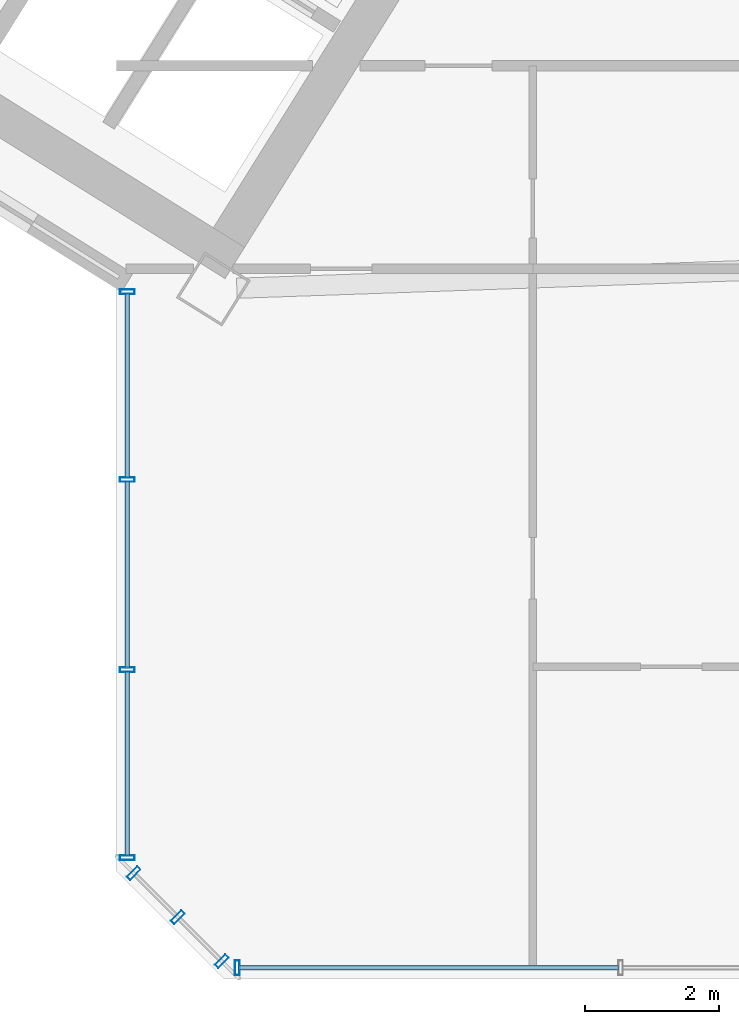
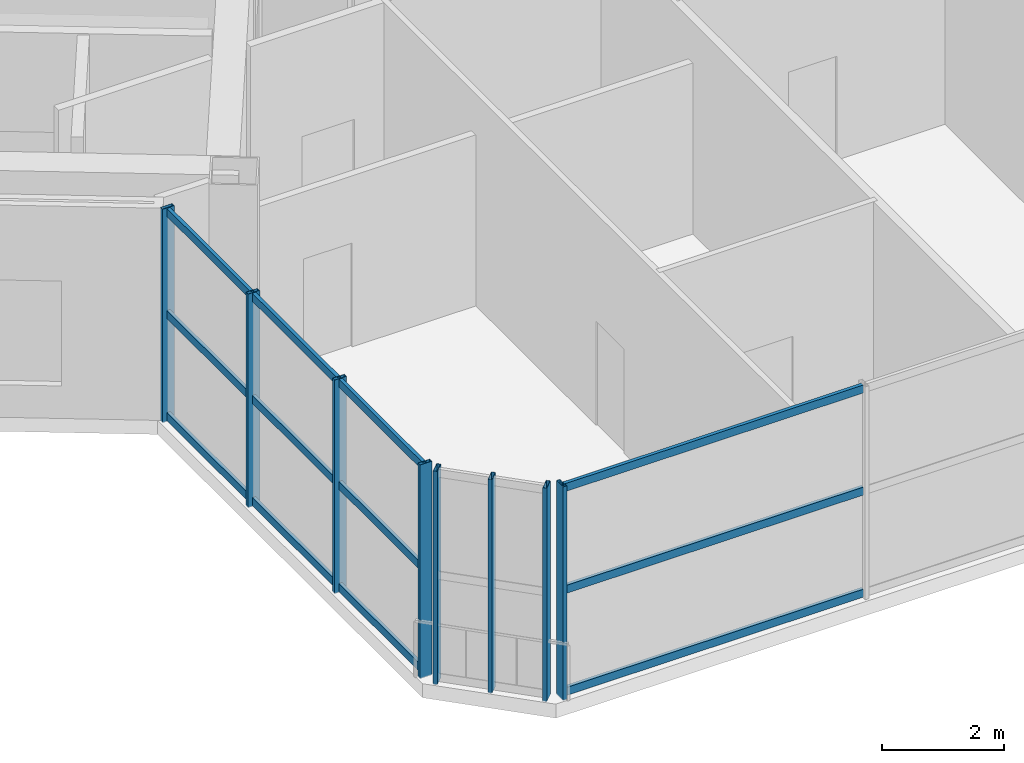
# One storey, part 4 of 21: 20 members, 3 elements without a shape of their own.
"""IFC4 building model written with IfcOpenShell, lengths in metres."""

from ifc_helpers import new_model, si_unit, direction, frame, origin, origin_2d, place, context, subcontext, project, spatial, hollow_rectangle, extrude, source, transform, mapped, material, material_profile, profile_set, type_object, element, aggregate, save


model = new_model("IFC4")

# Units and contexts
model_context = context("Model", 3, precision=1e-05, world=origin(), true_north=direction((0.0, 1.0)))
body_context = subcontext(model_context, "Body", "Model", "MODEL_VIEW")
ifc_project = project(units=[si_unit("LENGTHUNIT", "METRE"), si_unit("AREAUNIT", "SQUARE_METRE"), si_unit("VOLUMEUNIT", "CUBIC_METRE"), si_unit("PLANEANGLEUNIT", "RADIAN"), si_unit("MASSUNIT", "GRAM", prefix="KILO")], contexts=[model_context])

# Site, building, storey
site_placement = place(None, origin())
site = spatial("IfcSite", under=ifc_project, at=site_placement, CompositionType="ELEMENT")
building_placement = place(site_placement, origin())
building = spatial("IfcBuilding", under=site, at=building_placement, Name="Tlacorven Tower", CompositionType="ELEMENT")
storey_placement = place(building_placement, frame((0.0, 0.0, 199.5)))
storey = spatial("IfcBuildingStorey", under=building, at=storey_placement, Name="L50", CompositionType="ELEMENT", Elevation=199.5)

# Curtain wall, member
ifc_material_1 = material(Name="Dark solar low-E double glazing in aluminium frame", Category="aluminium")
curtain_wall_type = type_object("IfcCurtainWallType", Name="CW-COM-AMENITY", PredefinedType="USERDEFINED", material=ifc_material_1)
curtain_wall_1_placement = place(storey_placement, origin())
curtain_wall_1 = element("IfcCurtainWall", 1, at=curtain_wall_1_placement, inside=storey, type_object=curtain_wall_type, Name="L50 CW-COM-AMENITY Curtain Wall 229", ObjectType="UNITISED CURTAIN WALL", PredefinedType="USERDEFINED")
ifc_material_2 = material(Name="Aluminium 6063-T6 anodised", Category="aluminium")
ifc_material_profile_1 = material_profile(ifc_material_2, hollow_rectangle(XDim=0.070068359375, YDim=0.219970703125, WallThickness=0.0048828125, at=origin_2d()), Name="ALU MULLION 70X220")
ifc_profile_set_1 = profile_set([ifc_material_profile_1], Name="Aluminium 6063-T6 anodised")
member_type_1 = type_object("IfcMemberType", Name="CWM-01", PredefinedType="MULLION", material=ifc_profile_set_1)
shared_shape_1 = source(origin(), body_context, "Body", "SweptSolid", [
    extrude(hollow_rectangle(XDim=0.070068359375, YDim=0.219970703125, WallThickness=0.0048828125, at=origin_2d()), origin(), (0.0, 0.0, 1.0), 4.280029296875),
])
member_1_placement = place(storey_placement, frame((33.4013671875, 1.9599609375, -0.02001953125), z_axis=(0.0, 0.0, 1.0), x_axis=(-1.0, 0.0, 0.0)))
member_1 = element("IfcMember", 2, at=member_1_placement, type_object=member_type_1, Name="CW-L50-229 Mullion 4", PredefinedType="MULLION", context=body_context, shape_type="MappedRepresentation", body=[
    mapped(shared_shape_1, transform((0.0, 0.0, 0.0), scale=1.0)),
])

# Curtain wall, members
curtain_wall_2_placement = place(storey_placement, origin())
curtain_wall_2 = element("IfcCurtainWall", 3, at=curtain_wall_2_placement, inside=storey, type_object=curtain_wall_type, Name="L50 CW-COM-AMENITY Curtain Wall 230", ObjectType="UNITISED CURTAIN WALL", PredefinedType="USERDEFINED")
member_2_placement = place(storey_placement, frame((33.1708984375, 2.055419921875, -0.02001953125), z_axis=(0.0, 0.0, 1.0), x_axis=(-0.707106781187, 0.707106781187, 0.0)))
member_2 = element("IfcMember", 4, at=member_2_placement, type_object=member_type_1, Name="CW-L50-230 Mullion 1", PredefinedType="MULLION", context=body_context, shape_type="MappedRepresentation", body=[
    mapped(shared_shape_1, transform((0.0, 0.0, 0.0), scale=1.0)),
])
member_3_placement = place(storey_placement, frame((32.51318359375, 2.713134765625, -0.02001953125), z_axis=(0.0, 0.0, 1.0), x_axis=(-0.707106781187, 0.707106781187, 0.0)))
member_3 = element("IfcMember", 5, at=member_3_placement, type_object=member_type_1, Name="CW-L50-230 Mullion 2", PredefinedType="MULLION", context=body_context, shape_type="MappedRepresentation", body=[
    mapped(shared_shape_1, transform((0.0, 0.0, 0.0), scale=1.0)),
])
member_4_placement = place(storey_placement, frame((31.85546875, 3.370849609375, -0.02001953125), z_axis=(0.0, 0.0, 1.0), x_axis=(-0.707106781187, 0.707106781187, 0.0)))
member_4 = element("IfcMember", 6, at=member_4_placement, type_object=member_type_1, Name="CW-L50-230 Mullion 3", PredefinedType="MULLION", context=body_context, shape_type="MappedRepresentation", body=[
    mapped(shared_shape_1, transform((0.0, 0.0, 0.0), scale=1.0)),
])
aggregate(curtain_wall_2, [member_2, member_3, member_4])

curtain_wall_3_placement = place(storey_placement, origin())
curtain_wall_3 = element("IfcCurtainWall", 7, at=curtain_wall_3_placement, inside=storey, type_object=curtain_wall_type, Name="L50 CW-COM-AMENITY Curtain Wall 231", ObjectType="UNITISED CURTAIN WALL", PredefinedType="USERDEFINED")
member_5_placement = place(storey_placement, frame((31.760009765625, 3.601318359375, -0.02001953125), z_axis=(0.0, 0.0, 1.0), x_axis=(0.0, 1.0, 0.0)))
member_5 = element("IfcMember", 8, at=member_5_placement, type_object=member_type_1, Name="CW-L50-231 Mullion 1", PredefinedType="MULLION", context=body_context, shape_type="MappedRepresentation", body=[
    mapped(shared_shape_1, transform((0.0, 0.0, 0.0), scale=1.0)),
])
member_6_placement = place(storey_placement, frame((31.760009765625, 6.4052734375, -0.02001953125), z_axis=(0.0, 0.0, 1.0), x_axis=(0.0, 1.0, 0.0)))
member_6 = element("IfcMember", 9, at=member_6_placement, type_object=member_type_1, Name="CW-L50-231 Mullion 2", PredefinedType="MULLION", context=body_context, shape_type="MappedRepresentation", body=[
    mapped(shared_shape_1, transform((0.0, 0.0, 0.0), scale=1.0)),
])
member_7_placement = place(storey_placement, frame((31.760009765625, 9.244140625, -0.02001953125), z_axis=(0.0, 0.0, 1.0), x_axis=(0.0, 1.0, 0.0)))
member_7 = element("IfcMember", 10, at=member_7_placement, type_object=member_type_1, Name="CW-L50-231 Mullion 3", PredefinedType="MULLION", context=body_context, shape_type="MappedRepresentation", body=[
    mapped(shared_shape_1, transform((0.0, 0.0, 0.0), scale=1.0)),
])
member_8_placement = place(storey_placement, frame((31.760009765625, 12.048095703125, -0.02001953125), z_axis=(0.0, 0.0, 1.0), x_axis=(0.0, 1.0, 0.0)))
member_8 = element("IfcMember", 11, at=member_8_placement, type_object=member_type_1, Name="CW-L50-231 Mullion 4", PredefinedType="MULLION", context=body_context, shape_type="MappedRepresentation", body=[
    mapped(shared_shape_1, transform((0.0, 0.0, 0.0), scale=1.0)),
])

# Member
ifc_material_profile_2 = material_profile(ifc_material_2, hollow_rectangle(XDim=0.06494140625, YDim=0.159912109375, WallThickness=0.00390625, at=origin_2d()), Name="ALU TRANSOM 65X160")
ifc_profile_set_2 = profile_set([ifc_material_profile_2], Name="Aluminium 6063-T6 anodised")
member_type_2 = type_object("IfcMemberType", Name="CWT-01", PredefinedType="USERDEFINED", material=ifc_profile_set_2)
shared_shape_2 = source(origin(), body_context, "Body", "SweptSolid", [
    extrude(hollow_rectangle(XDim=0.06494140625, YDim=0.159912109375, WallThickness=0.00390625, at=origin_2d()), origin(), (0.0, 0.0, 1.0), 5.6748046875),
])
member_9_placement = place(storey_placement, frame((39.09912109375, 1.9599609375, 0.080078125), z_axis=(-1.0, 0.0, 0.0), x_axis=(0.0, -1.0, 0.0)))
member_9 = element("IfcMember", 12, at=member_9_placement, type_object=member_type_2, Name="CW-L50-229 Transom 7", ObjectType="TRANSOM", PredefinedType="USERDEFINED", context=body_context, shape_type="MappedRepresentation", body=[
    mapped(shared_shape_2, transform((0.0, 0.0, 0.0), scale=1.0)),
])

member_10_placement = place(storey_placement, frame((39.09912109375, 1.9599609375, 2.125), z_axis=(-1.0, 0.0, 0.0), x_axis=(0.0, -1.0, 0.0)))
member_10 = element("IfcMember", 13, at=member_10_placement, type_object=member_type_2, Name="CW-L50-229 Transom 8", ObjectType="TRANSOM", PredefinedType="USERDEFINED", context=body_context, shape_type="MappedRepresentation", body=[
    mapped(shared_shape_2, transform((0.0, 0.0, 0.0), scale=1.0)),
])

member_11_placement = place(storey_placement, frame((39.09912109375, 1.9599609375, 4.169921875), z_axis=(-1.0, 0.0, 0.0), x_axis=(0.0, -1.0, 0.0)))
member_11 = element("IfcMember", 14, at=member_11_placement, type_object=member_type_2, Name="CW-L50-229 Transom 9", ObjectType="TRANSOM", PredefinedType="USERDEFINED", context=body_context, shape_type="MappedRepresentation", body=[
    mapped(shared_shape_2, transform((0.0, 0.0, 0.0), scale=1.0)),
])

aggregate(curtain_wall_1, [member_1, member_9, member_10, member_11])

shared_shape_3 = source(origin(), body_context, "Body", "SweptSolid", [
    extrude(hollow_rectangle(XDim=0.06494140625, YDim=0.159912109375, WallThickness=0.00390625, at=origin_2d()), origin(), (0.0, 0.0, 1.0), 2.7578125),
])
member_12_placement = place(storey_placement, frame((31.760009765625, 3.624267578125, 0.080078125), z_axis=(0.0, 1.0, 0.0), x_axis=(-1.0, 0.0, 0.0)))
member_12 = element("IfcMember", 15, at=member_12_placement, type_object=member_type_2, Name="CW-L50-231 Transom 1", ObjectType="TRANSOM", PredefinedType="USERDEFINED", context=body_context, shape_type="MappedRepresentation", body=[
    mapped(shared_shape_3, transform((0.0, 0.0, 0.0), scale=1.0)),
])

member_13_placement = place(storey_placement, frame((31.760009765625, 3.624267578125, 2.125), z_axis=(0.0, 1.0, 0.0), x_axis=(-1.0, 0.0, 0.0)))
member_13 = element("IfcMember", 16, at=member_13_placement, type_object=member_type_2, Name="CW-L50-231 Transom 2", ObjectType="TRANSOM", PredefinedType="USERDEFINED", context=body_context, shape_type="MappedRepresentation", body=[
    mapped(shared_shape_3, transform((0.0, 0.0, 0.0), scale=1.0)),
])

member_14_placement = place(storey_placement, frame((31.760009765625, 3.624267578125, 4.169921875), z_axis=(0.0, 1.0, 0.0), x_axis=(-1.0, 0.0, 0.0)))
member_14 = element("IfcMember", 17, at=member_14_placement, type_object=member_type_2, Name="CW-L50-231 Transom 3", ObjectType="TRANSOM", PredefinedType="USERDEFINED", context=body_context, shape_type="MappedRepresentation", body=[
    mapped(shared_shape_3, transform((0.0, 0.0, 0.0), scale=1.0)),
])

shared_shape_4 = source(origin(), body_context, "Body", "SweptSolid", [
    extrude(hollow_rectangle(XDim=0.06494140625, YDim=0.159912109375, WallThickness=0.00390625, at=origin_2d()), origin(), (0.0, 0.0, 1.0), 2.79296875),
])
member_15_placement = place(storey_placement, frame((31.760009765625, 6.42822265625, 0.080078125), z_axis=(0.0, 1.0, 0.0), x_axis=(-1.0, 0.0, 0.0)))
member_15 = element("IfcMember", 18, at=member_15_placement, type_object=member_type_2, Name="CW-L50-231 Transom 4", ObjectType="TRANSOM", PredefinedType="USERDEFINED", context=body_context, shape_type="MappedRepresentation", body=[
    mapped(shared_shape_4, transform((0.0, 0.0, 0.0), scale=1.0)),
])

member_16_placement = place(storey_placement, frame((31.760009765625, 6.42822265625, 2.125), z_axis=(0.0, 1.0, 0.0), x_axis=(-1.0, 0.0, 0.0)))
member_16 = element("IfcMember", 19, at=member_16_placement, type_object=member_type_2, Name="CW-L50-231 Transom 5", ObjectType="TRANSOM", PredefinedType="USERDEFINED", context=body_context, shape_type="MappedRepresentation", body=[
    mapped(shared_shape_4, transform((0.0, 0.0, 0.0), scale=1.0)),
])

member_17_placement = place(storey_placement, frame((31.760009765625, 6.42822265625, 4.169921875), z_axis=(0.0, 1.0, 0.0), x_axis=(-1.0, 0.0, 0.0)))
member_17 = element("IfcMember", 20, at=member_17_placement, type_object=member_type_2, Name="CW-L50-231 Transom 6", ObjectType="TRANSOM", PredefinedType="USERDEFINED", context=body_context, shape_type="MappedRepresentation", body=[
    mapped(shared_shape_4, transform((0.0, 0.0, 0.0), scale=1.0)),
])

shared_shape_5 = source(origin(), body_context, "Body", "SweptSolid", [
    extrude(hollow_rectangle(XDim=0.06494140625, YDim=0.159912109375, WallThickness=0.00390625, at=origin_2d()), origin(), (0.0, 0.0, 1.0), 2.758056640625),
])
member_18_placement = place(storey_placement, frame((31.760009765625, 9.26708984375, 0.080078125), z_axis=(0.0, 1.0, 0.0), x_axis=(-1.0, 0.0, 0.0)))
member_18 = element("IfcMember", 21, at=member_18_placement, type_object=member_type_2, Name="CW-L50-231 Transom 7", ObjectType="TRANSOM", PredefinedType="USERDEFINED", context=body_context, shape_type="MappedRepresentation", body=[
    mapped(shared_shape_5, transform((0.0, 0.0, 0.0), scale=1.0)),
])

member_19_placement = place(storey_placement, frame((31.760009765625, 9.26708984375, 2.125), z_axis=(0.0, 1.0, 0.0), x_axis=(-1.0, 0.0, 0.0)))
member_19 = element("IfcMember", 22, at=member_19_placement, type_object=member_type_2, Name="CW-L50-231 Transom 8", ObjectType="TRANSOM", PredefinedType="USERDEFINED", context=body_context, shape_type="MappedRepresentation", body=[
    mapped(shared_shape_5, transform((0.0, 0.0, 0.0), scale=1.0)),
])

member_20_placement = place(storey_placement, frame((31.760009765625, 9.26708984375, 4.169921875), z_axis=(0.0, 1.0, 0.0), x_axis=(-1.0, 0.0, 0.0)))
member_20 = element("IfcMember", 23, at=member_20_placement, type_object=member_type_2, Name="CW-L50-231 Transom 9", ObjectType="TRANSOM", PredefinedType="USERDEFINED", context=body_context, shape_type="MappedRepresentation", body=[
    mapped(shared_shape_5, transform((0.0, 0.0, 0.0), scale=1.0)),
])

aggregate(curtain_wall_3, [member_5, member_6, member_7, member_8, member_12, member_13, member_14, member_15, member_16, member_17, member_18, member_19, member_20])

save(model, "model.ifc")
